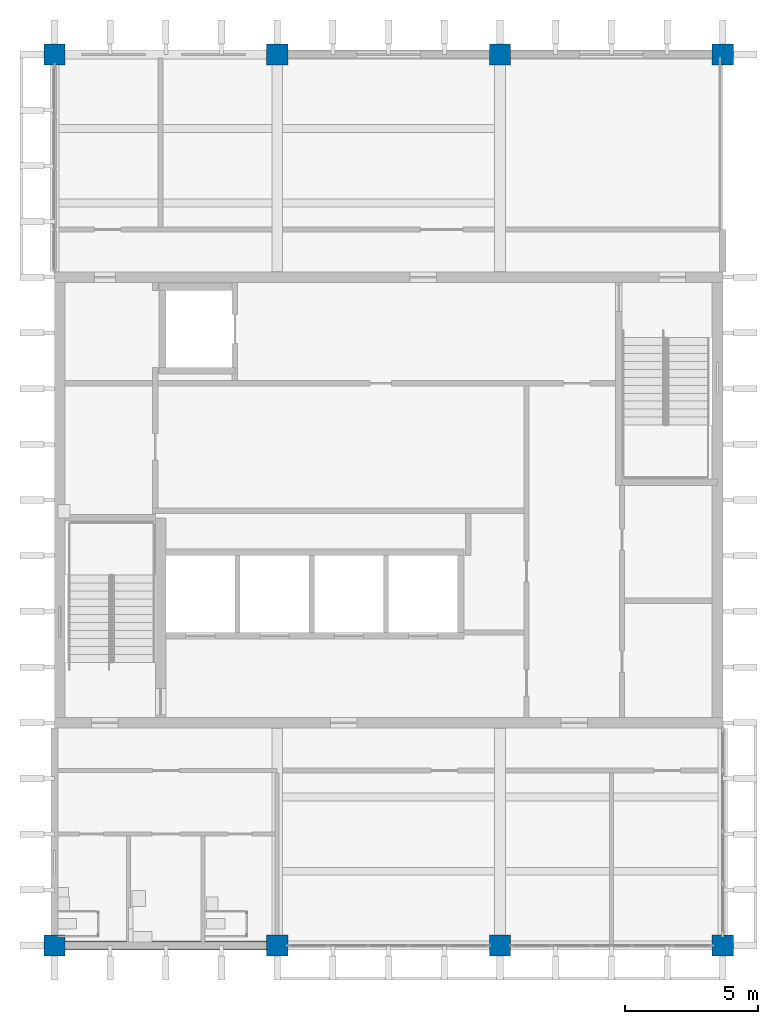
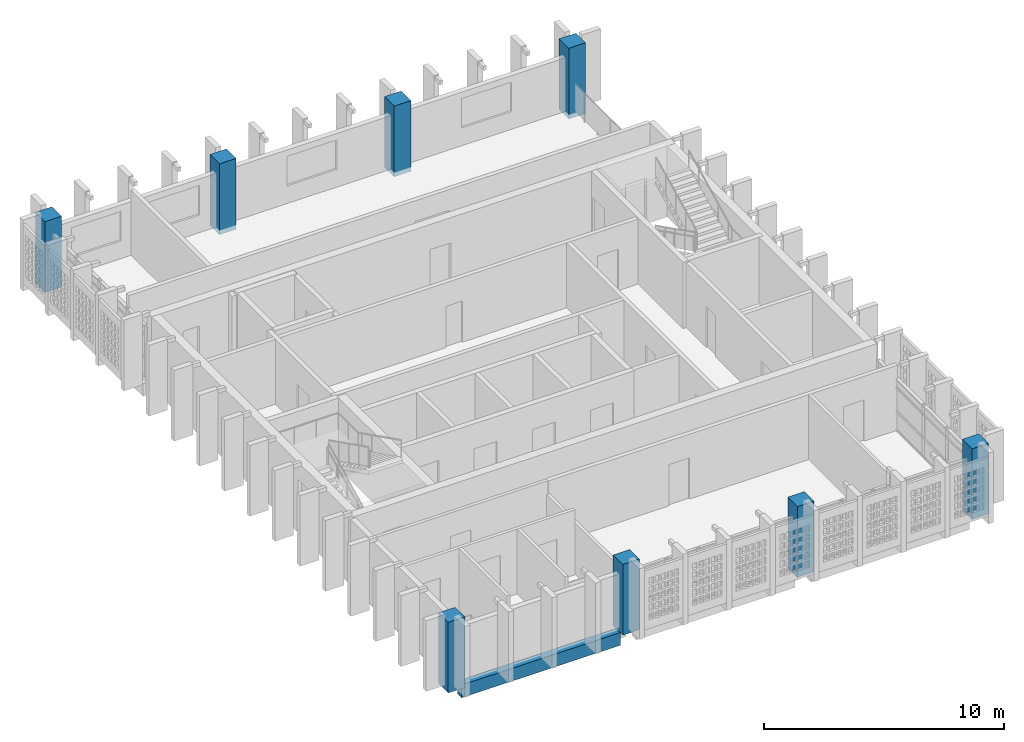
# One storey, part 1 of 13: 8 columns, 1 beam.
"""IFC4 building model written with IfcOpenShell, lengths in metres."""

import ifcopenshell
import ifcopenshell.guid

model = None  # the IFC model being written
_history = None  # IfcOwnerHistory: only IFC2X3 demands one
_inside = {}  # id of a spatial element -> (the spatial element, [elements in it])
_under = {}  # id of a project, library or spatial element -> (it, [spatial elements below it])
_declared = {}  # id of a project -> (the project, [libraries it declares])
_typed = {}  # id of a type object -> (the type object, [elements of that type])
_made_of = {}  # id of a material, layer set ... -> (it, [elements and type objects made of it])


def new_model(schema):
    """Start an empty IFC model of exactly this schema.

    Asked for "IFC4X3", IfcOpenShell would pick the latest addendum, in which some entities
    have other attributes; the version numbers below select the first issue.
    IFC2X3 requires an IfcOwnerHistory on every rooted entity: one is made here for all.
    """
    global model, _history
    if schema == "IFC4X3":
        model = ifcopenshell.file(schema_version=(4, 3, 0, 0))
    else:
        model = ifcopenshell.file(schema=schema)
    _inside.clear()
    _under.clear()
    _declared.clear()
    _typed.clear()
    _made_of.clear()
    _history = None
    if model.schema == "IFC2X3":
        org = make("IfcOrganization", Name="unknown")
        user = make(
            "IfcPersonAndOrganization",
            ThePerson=make("IfcPerson", FamilyName="unknown"),
            TheOrganization=org,
        )
        app = make(
            "IfcApplication",
            ApplicationDeveloper=org,
            Version="unknown",
            ApplicationFullName="unknown",
            ApplicationIdentifier="unknown",
        )
        _history = make(
            "IfcOwnerHistory",
            OwningUser=user,
            OwningApplication=app,
            ChangeAction="ADDED",
            CreationDate=0,
        )
    return model


def make(cls, **values):
    """One entity of the class cls with the attributes given. An attribute that is None is left unset."""
    return model.create_entity(
        cls, **{name: value for name, value in values.items() if value is not None}
    )


def rooted(cls, **values):
    """An entity with a GlobalId (a new one), such as an element, a storey or a relation."""
    return make(cls, GlobalId=ifcopenshell.guid.new(), OwnerHistory=_history, **values)


def si_unit(unit_type, name, prefix=None):
    """IfcSIUnit, for example si_unit("LENGTHUNIT", "METRE", prefix="MILLI")."""
    return make("IfcSIUnit", UnitType=unit_type, Prefix=prefix, Name=name)


def assignment(units):
    """IfcUnitAssignment: the units of a project."""
    return None if units is None else make("IfcUnitAssignment", Units=units)


def point(xyz):
    """IfcCartesianPoint."""
    return None if xyz is None else make("IfcCartesianPoint", Coordinates=xyz)


def direction(xyz):
    """IfcDirection."""
    return None if xyz is None else make("IfcDirection", DirectionRatios=xyz)


def frame(location, z_axis=None, x_axis=None):
    """IfcAxis2Placement3D, a coordinate frame: its origin and axes. An axis left out is left unset."""
    return make(
        "IfcAxis2Placement3D",
        Location=point(location),
        Axis=direction(z_axis),
        RefDirection=direction(x_axis),
    )


def frame_2d(location, x_axis=None):
    """IfcAxis2Placement2D, a coordinate frame in the plane: its origin and x axis."""
    return make(
        "IfcAxis2Placement2D", Location=point(location), RefDirection=direction(x_axis)
    )


def origin():
    """The frame at (0, 0, 0) with its axes left unset."""
    return frame((0.0, 0.0, 0.0))


def origin_2d():
    """The frame at (0, 0) in the plane with its x axis left unset."""
    return frame_2d((0.0, 0.0))


def place(relative_to, where):
    """IfcLocalPlacement: puts the frame where relative to a parent placement (None: the world)."""
    return make(
        "IfcLocalPlacement", PlacementRelTo=relative_to, RelativePlacement=where
    )


def context(
    kind, dimensions, precision=None, world=None, true_north=None, identifier=None
):
    """IfcGeometricRepresentationContext, for example the 3D "Model" context."""
    return make(
        "IfcGeometricRepresentationContext",
        ContextIdentifier=identifier,
        ContextType=kind,
        CoordinateSpaceDimension=dimensions,
        Precision=precision,
        WorldCoordinateSystem=world,
        TrueNorth=true_north,
    )


def subcontext(parent, identifier, kind, view, scale=None):
    """IfcGeometricRepresentationSubContext, for example "Body" below "Model"."""
    return make(
        "IfcGeometricRepresentationSubContext",
        ContextIdentifier=identifier,
        ContextType=kind,
        ParentContext=parent,
        TargetScale=scale,
        TargetView=view,
    )


def project(units=None, contexts=None):
    """IfcProject with its units and contexts."""
    return rooted(
        "IfcProject",
        Name="project",
        RepresentationContexts=contexts,
        UnitsInContext=assignment(units),
    )


def spatial(cls, under=None, at=None, **own):
    """A site, building, storey or space (cls), placed at a placement, below another one or the project."""
    s = rooted(cls, ObjectPlacement=at, **own)
    if under is not None:
        _under.setdefault(under.id(), (under, []))[1].append(s)
    return s


def profile(cls, at=None, kind="AREA", **sizes):
    """A parametric profile (cls). Its sizes go by their IFC names, for example OverallWidth=200.0."""
    return make(cls, ProfileType=kind, Position=at, **sizes)


def rectangle(**sizes):
    """IfcRectangleProfileDef."""
    return profile("IfcRectangleProfileDef", **sizes)


def extrude(swept, where, along, depth):
    """IfcExtrudedAreaSolid: the profile swept, set in the frame where, extruded along a direction by depth."""
    return make(
        "IfcExtrudedAreaSolid",
        SweptArea=swept,
        Position=where,
        ExtrudedDirection=direction(along),
        Depth=depth,
    )


def shape(context_of_items, identifier, shape_type, items):
    """IfcShapeRepresentation: the items that make up one representation, for example the "Body"."""
    return make(
        "IfcShapeRepresentation",
        ContextOfItems=context_of_items,
        RepresentationIdentifier=identifier,
        RepresentationType=shape_type,
        Items=items,
    )


def material(Name=None, Category=None):
    """IfcMaterial."""
    return make("IfcMaterial", Name=Name, Category=Category)


def material_profile(
    of_material, cross_section, Name=None, Category=None, Priority=None
):
    """IfcMaterialProfile: a cross section and its material."""
    return make(
        "IfcMaterialProfile",
        Name=Name,
        Material=of_material,
        Profile=cross_section,
        Priority=Priority,
        Category=Category,
    )


def profile_set(profiles, Name=None, composite=None):
    """IfcMaterialProfileSet."""
    return make(
        "IfcMaterialProfileSet",
        Name=Name,
        MaterialProfiles=profiles,
        CompositeProfile=composite,
    )


def made_of(thing, what):
    """Note that an element or type object is made of a material, layer set ...; save() writes the relation."""
    if what is not None:
        _made_of.setdefault(what.id(), (what, []))[1].append(thing)
    return thing


def type_object(cls, material=None, **own):
    """A type object (cls), such as IfcWallType, which elements share."""
    return made_of(rooted(cls, **own), material)


def element(
    cls,
    number,
    at=None,
    inside=None,
    cuts=None,
    type_object=None,
    material=None,
    context=None,
    identifier="Body",
    shape_type=None,
    held_by="IfcProductDefinitionShape",
    body=None,
    shapes=None,
    **own,
):
    """One element of the class cls, such as IfcWall. Its Tag is "e" and its number.

    at: its placement. inside: the storey or other place that contains it. cuts: it is an
    opening in that element (IfcRelVoidsElement). A single representation is given by context,
    identifier, shape_type and body (its items); several are given by shapes. held_by: the class
    of the entity that holds the representations. save() writes the other relations.
    """
    e = rooted(cls, Tag="e%d" % number, ObjectPlacement=at, **own)
    if body is not None:
        shapes = [shape(context, identifier, shape_type, body)]
    if shapes is not None:
        e.Representation = make(held_by, Representations=shapes)
    if inside is not None:
        _inside.setdefault(inside.id(), (inside, []))[1].append(e)
    if cuts is not None:
        rooted(
            "IfcRelVoidsElement", RelatingBuildingElement=cuts, RelatedOpeningElement=e
        )
    if type_object is not None:
        _typed.setdefault(type_object.id(), (type_object, []))[1].append(e)
    return made_of(e, material)


def aggregate(whole, parts):
    """IfcRelAggregates: a whole, such as a stair, and the parts it consists of."""
    return rooted("IfcRelAggregates", RelatingObject=whole, RelatedObjects=parts)


def save(model, path):
    """Write the relations noted so far, then the file.

    IfcRelAggregates (storeys below a building ...), IfcRelContainedInSpatialStructure (elements
    in a storey), IfcRelDefinesByType, IfcRelAssociatesMaterial and IfcRelDeclares: one each for
    every whole, place, type object, material and project.
    """
    for whole, parts in _under.values():
        aggregate(whole, parts)
    for where, things in _inside.values():
        rooted(
            "IfcRelContainedInSpatialStructure",
            RelatedElements=things,
            RelatingStructure=where,
        )
    for kind, things in _typed.values():
        rooted("IfcRelDefinesByType", RelatedObjects=things, RelatingType=kind)
    for what, things in _made_of.values():
        rooted("IfcRelAssociatesMaterial", RelatedObjects=things, RelatingMaterial=what)
    for by, libraries in _declared.values():
        rooted("IfcRelDeclares", RelatingContext=by, RelatedDefinitions=libraries)
    model.write(path)


model = new_model("IFC4")

# Units and contexts
model_context = context("Model", 3, precision=1e-05, world=origin(), true_north=direction((0.0, 1.0)))
body_context = subcontext(model_context, "Body", "Model", "MODEL_VIEW")
ifc_project = project(units=[si_unit("LENGTHUNIT", "METRE"), si_unit("AREAUNIT", "SQUARE_METRE"), si_unit("VOLUMEUNIT", "CUBIC_METRE"), si_unit("PLANEANGLEUNIT", "RADIAN"), si_unit("MASSUNIT", "GRAM", prefix="KILO")], contexts=[model_context])

# Site, building, storey
site_placement = place(None, origin())
site = spatial("IfcSite", under=ifc_project, at=site_placement, CompositionType="ELEMENT")
building_placement = place(site_placement, origin())
building = spatial("IfcBuilding", under=site, at=building_placement, Name="Rulbaag Community and Learning Centre", CompositionType="ELEMENT")
storey_placement = place(building_placement, frame((0.0, 0.0, 39.60009765625)))
storey = spatial("IfcBuildingStorey", under=building, at=storey_placement, Name="L10", CompositionType="ELEMENT", Elevation=39.60009765625)

# Columns
ifc_material_1 = material(Name="Concrete M60", Category="concrete")
ifc_material_profile_1 = material_profile(ifc_material_1, rectangle(XDim=0.800048828125, YDim=0.800048828125, at=origin_2d()), Name="RC800x800")
ifc_profile_set_1 = profile_set([ifc_material_profile_1], Name="Concrete M60")
column_type = type_object("IfcColumnType", Name="C4 Column 800x800 Concrete M60", PredefinedType="COLUMN", material=ifc_profile_set_1)
for number, where, z_axis, x_axis, name in (
    (1, (142.800048828125, 84.0, -0.22509765625), (0.0, 0.0, 1.0), (1.0, 0.0, 0.0), "COL-18K-L10"),
    (2, (142.800048828125, 117.60009765625, -0.22509765625), (0.0, 0.0, 1.0), (1.0, 0.0, 0.0), "COL-18O-L10"),
    (3, (151.199951171875, 84.0, -0.22509765625), (0.0, 0.0, 1.0), (1.0, 0.0, 0.0), "COL-19K-L10"),
    (4, (151.199951171875, 117.60009765625, -0.22509765625), (0.0, 0.0, 1.0), (1.0, 0.0, 0.0), "COL-19O-L10"),
    (5, (159.60009765625, 84.0, -0.22509765625), (0.0, 0.0, 1.0), (1.0, 0.0, 0.0), "COL-20K-L10"),
    (6, (159.60009765625, 117.60009765625, -0.22509765625), (0.0, 0.0, 1.0), (1.0, 0.0, 0.0), "COL-20O-L10"),
    (7, (168.0, 84.0, -0.22509765625), (0.0, 0.0, 1.0), (1.0, 0.0, 0.0), "COL-21K-L10"),
    (8, (168.0, 117.60009765625, -0.22509765625), (0.0, 0.0, 1.0), (1.0, 0.0, 0.0), "COL-21O-L10"),
):
    element("IfcColumn", number, at=place(storey_placement, frame(where, z_axis=z_axis, x_axis=x_axis)), inside=storey, type_object=column_type, Name=name, PredefinedType="COLUMN", context=body_context, shape_type="SweptSolid", body=[
        extrude(rectangle(XDim=0.800048828125, YDim=0.800048828125, at=origin_2d()), origin(), (0.0, 0.0, 1.0), 3.60009765625),
    ])

# Beam
ifc_material_2 = material(Name="Concrete M40", Category="concrete")
ifc_material_profile_2 = material_profile(ifc_material_2, rectangle(XDim=0.35009765625, YDim=0.64990234375, at=origin_2d()), Name="RB350x650")
ifc_profile_set_2 = profile_set([ifc_material_profile_2], Name="Concrete M40")
beam_type = type_object("IfcBeamType", Name="B14 Tower edge beam, upper zone 350x650 Concrete M40", PredefinedType="BEAM", material=ifc_profile_set_2)
beam_placement = place(storey_placement, frame((143.179931640625, 84.0, -0.550048828125), z_axis=(1.0, 0.0, 0.0), x_axis=(0.0, 1.0, 0.0)))
element("IfcBeam", 9, at=beam_placement, inside=storey, type_object=beam_type, Name="BM-L10-18K-19K", PredefinedType="BEAM", context=body_context, shape_type="SweptSolid", body=[
    extrude(rectangle(XDim=0.35009765625, YDim=0.64990234375, at=origin_2d()), origin(), (0.0, 0.0, 1.0), 7.64013671875),
])

save(model, "model.ifc")
